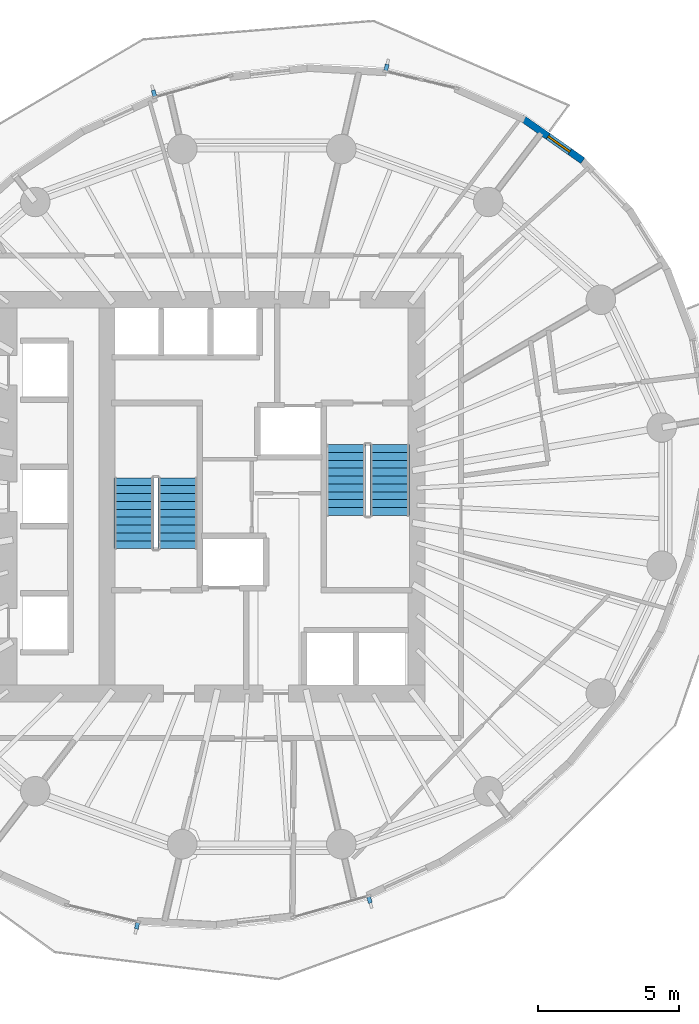
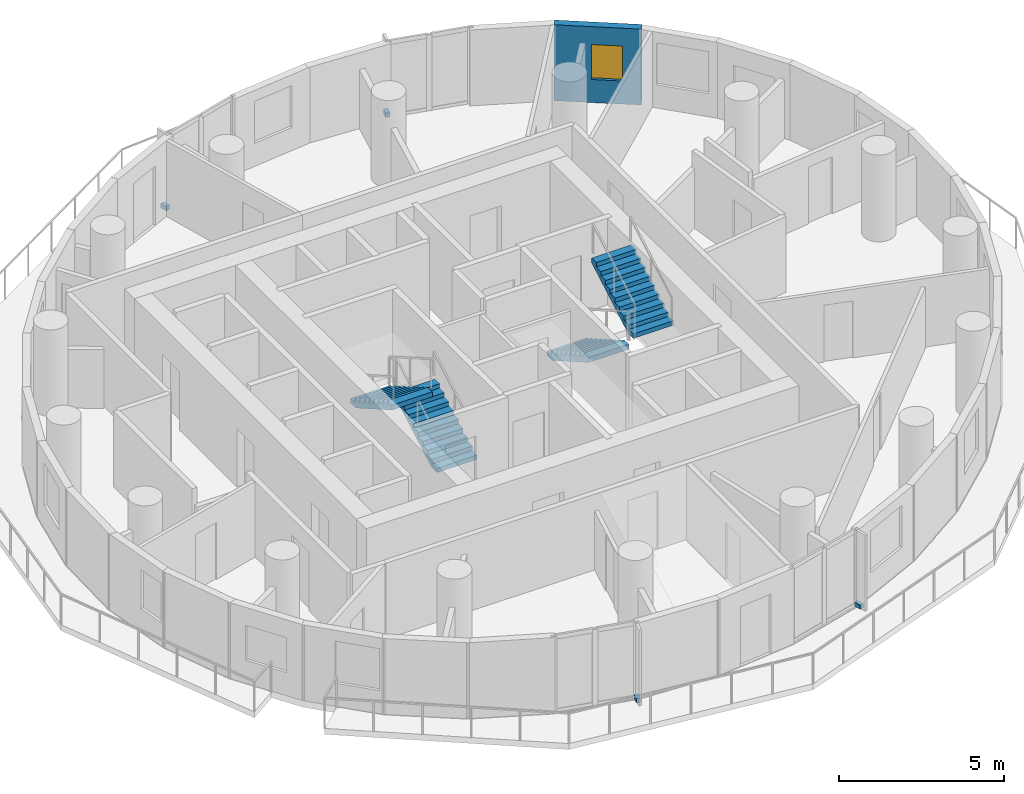
# One storey, part 8 of 13: 4 discrete accessories, 4 stair flights, 1 wall, 1 window, 1 opening, 2 elements without a shape of their own.
"""IFC4 building model written with IfcOpenShell, lengths in metres."""

from ifc_helpers import new_model, si_unit, direction, frame, frame_2d, origin, origin_2d, place, context, subcontext, project, spatial, polyline, rectangle, outline, extrude, material, layer, layer_set, type_object, element, fill, aggregate, save


model = new_model("IFC4")

# Units and contexts
model_context = context("Model", 3, precision=1e-05, world=origin(), true_north=direction((0.0, 1.0)))
body_context = subcontext(model_context, "Body", "Model", "MODEL_VIEW")
ifc_project = project(units=[si_unit("LENGTHUNIT", "METRE"), si_unit("AREAUNIT", "SQUARE_METRE"), si_unit("VOLUMEUNIT", "CUBIC_METRE"), si_unit("PLANEANGLEUNIT", "RADIAN"), si_unit("MASSUNIT", "GRAM", prefix="KILO")], contexts=[model_context])

# Site, building, storey
site_placement = place(None, origin())
site = spatial("IfcSite", under=ifc_project, at=site_placement, CompositionType="ELEMENT")
building_placement = place(site_placement, origin())
building = spatial("IfcBuilding", under=site, at=building_placement, Name="Veldorim Arch Residences", CompositionType="ELEMENT")
storey_placement = place(building_placement, frame((0.0, 0.0, 155.360107421875)))
storey = spatial("IfcBuildingStorey", under=building, at=storey_placement, Name="L46", CompositionType="ELEMENT", Elevation=155.360107421875)

# Wall, opening, window
ifc_material_1 = material(Name="Precast concrete C40/50", Category="concrete")
ifc_layer = layer(ifc_material_1, 0.25, Name="Tower Terracotta Spandrel & Pier Wall 250")
ifc_layer_set = layer_set([ifc_layer], Name="Precast concrete C40/50")
wall_type = type_object("IfcWallType", Name="Tower Terracotta Spandrel & Pier Wall 250", PredefinedType="SOLIDWALL", material=ifc_layer_set)
wall_placement = place(storey_placement, frame((41.247314453125, 37.4658203125, 0.0), z_axis=(0.0, 0.0, 1.0), x_axis=(0.818434239786, -0.574600204617, 0.0)))
wall = element("IfcWall", 1, at=wall_placement, inside=storey, type_object=wall_type, Name="L46 terracotta facade wall 02", PredefinedType="SOLIDWALL", context=body_context, shape_type="SweptSolid", body=[
    extrude(rectangle(XDim=2.6484375, YDim=0.25, at=frame_2d((1.32421875, 0.0))), origin(), (0.0, 0.0, 1.0), 2.7998046875),
])
opening_placement = place(wall_placement, frame((1.137939453125, 0.0, 0.85009765625)))
opening = element("IfcOpeningElement", 2, at=opening_placement, cuts=wall, Name="Opening WN-05", PredefinedType="OPENING", context=body_context, shape_type="SweptSolid", body=[
    extrude(rectangle(XDim=0.949951171875, YDim=1.2900390625, at=frame_2d((0.47509765625, 0.64501953125))), frame((0.0, 0.135009765625, 0.0), z_axis=(0.0, -1.0, 0.0), x_axis=(1.0, 0.0, 0.0)), (0.0, 0.0, 1.0), 0.27001953125),
])
ifc_material_2 = material(Name="Laminated Low-E Glass", Category="glass")
window_type = type_object("IfcWindowType", Name="Residential Compact Casement Window 950x1450", PartitioningType="SINGLE_PANEL", PredefinedType="WINDOW", material=ifc_material_2)
window_placement = place(opening_placement, origin())
window = element("IfcWindow", 3, at=window_placement, inside=storey, type_object=window_type, Name="L46 solar-control facade window 02", OverallHeight=1.2900390625, OverallWidth=0.949951171875, PartitioningType="SINGLE_PANEL", PredefinedType="WINDOW", context=body_context, shape_type="SweptSolid", body=[
    extrude(rectangle(XDim=0.949951171875, YDim=1.2900390625, at=frame_2d((0.47509765625, 0.64501953125))), frame((0.0, 0.030029296875, 0.0), z_axis=(0.0, -1.0, 0.0), x_axis=(1.0, 0.0, 0.0)), (0.0, 0.0, 1.0), 0.06005859375),
])
fill(opening, window)

# Stair, stair flights
ifc_material_3 = material(Name="Concrete C40/50", Category="concrete")
stair_type = type_object("IfcStairType", Name="Reinforced Concrete Dogleg Exit Staircase", PredefinedType="HALF_TURN_STAIR", material=ifc_material_3)
stair_1_placement = place(storey_placement, origin())
stair_1 = element("IfcStair", 4, at=stair_1_placement, inside=storey, type_object=stair_type, Name="L46 Exit Staircase ST-1", PredefinedType="HALF_TURN_STAIR")
ifc_material_4 = material(Name="Concrete C40/50", Category="concrete")
stair_flight_type = type_object("IfcStairFlightType", Name="Reinforced Concrete Stair Flight 1400", PredefinedType="STRAIGHT", material=ifc_material_4)
stair_flight_1_placement = place(storey_placement, frame((29.010009765625, 22.14990234375, 0.0), z_axis=(0.0, 0.0, 1.0), x_axis=(0.0, 1.0, 0.0)))
stair_flight_1 = element("IfcStairFlight", 5, at=stair_flight_1_placement, type_object=stair_flight_type, Name="ST-1 flight 1", NumberOfRisers=10, NumberOfTreads=9, PredefinedType="STRAIGHT", RiserHeight=0.16, TreadLength=0.28, context=body_context, shape_type="SweptSolid", body=[
    extrude(outline(polyline([(0.0, 0.0), (0.0, 0.159912109375), (0.280029296875, 0.159912109375), (0.280029296875, 0.320068359375), (0.56005859375, 0.320068359375), (0.56005859375, 0.47998046875), (0.840087890625, 0.47998046875), (0.840087890625, 0.639892578125), (1.1201171875, 0.639892578125), (1.1201171875, 0.800048828125), (1.39990234375, 0.800048828125), (1.39990234375, 0.9599609375), (1.679931640625, 0.9599609375), (1.679931640625, 1.1201171875), (1.9599609375, 1.1201171875), (1.9599609375, 1.280029296875), (2.239990234375, 1.280029296875), (2.239990234375, 1.43994140625), (2.52001953125, 1.43994140625), (2.52001953125, 1.60009765625), (2.52001953125, 1.255859375), (0.322265625, 0.0), (0.0, 0.0)])), frame((0.0, 0.699951171875, 0.0), z_axis=(0.0, -1.0, 0.0), x_axis=(1.0, 0.0, 0.0)), (0.0, 0.0, 1.0), 1.39990234375),
])
stair_flight_2_placement = place(storey_placement, frame((27.449951171875, 24.669921875, 1.599853515625), z_axis=(0.0, 0.0, 1.0), x_axis=(0.0, -1.0, 0.0)))
stair_flight_2 = element("IfcStairFlight", 6, at=stair_flight_2_placement, type_object=stair_flight_type, Name="ST-1 flight 2", NumberOfRisers=10, NumberOfTreads=9, PredefinedType="STRAIGHT", RiserHeight=0.16, TreadLength=0.28, context=body_context, shape_type="SweptSolid", body=[
    extrude(outline(polyline([(0.0, 0.0), (0.0, 0.159912109375), (0.280029296875, 0.159912109375), (0.280029296875, 0.320068359375), (0.56005859375, 0.320068359375), (0.56005859375, 0.47998046875), (0.840087890625, 0.47998046875), (0.840087890625, 0.639892578125), (1.1201171875, 0.639892578125), (1.1201171875, 0.800048828125), (1.39990234375, 0.800048828125), (1.39990234375, 0.9599609375), (1.679931640625, 0.9599609375), (1.679931640625, 1.1201171875), (1.9599609375, 1.1201171875), (1.9599609375, 1.280029296875), (2.239990234375, 1.280029296875), (2.239990234375, 1.43994140625), (2.52001953125, 1.43994140625), (2.52001953125, 1.60009765625), (2.52001953125, 1.255859375), (0.322265625, 0.0), (0.0, 0.0)])), frame((0.0, 0.699951171875, 0.0), z_axis=(0.0, -1.0, 0.0), x_axis=(1.0, 0.0, 0.0)), (0.0, 0.0, 1.0), 1.39990234375),
])
aggregate(stair_1, [stair_flight_1, stair_flight_2])

stair_2_placement = place(storey_placement, origin())
stair_2 = element("IfcStair", 7, at=stair_2_placement, inside=storey, type_object=stair_type, Name="L46 Exit Staircase ST-2", PredefinedType="HALF_TURN_STAIR")
stair_flight_3_placement = place(storey_placement, frame((34.989990234375, 25.85009765625, 0.0), z_axis=(0.0, 0.0, 1.0), x_axis=(0.0, -1.0, 0.0)))
stair_flight_3 = element("IfcStairFlight", 8, at=stair_flight_3_placement, type_object=stair_flight_type, Name="ST-2 flight 1", NumberOfRisers=10, NumberOfTreads=9, PredefinedType="STRAIGHT", RiserHeight=0.16, TreadLength=0.28, context=body_context, shape_type="SweptSolid", body=[
    extrude(outline(polyline([(0.0, 0.0), (0.0, 0.159912109375), (0.280029296875, 0.159912109375), (0.280029296875, 0.320068359375), (0.56005859375, 0.320068359375), (0.56005859375, 0.47998046875), (0.840087890625, 0.47998046875), (0.840087890625, 0.639892578125), (1.1201171875, 0.639892578125), (1.1201171875, 0.800048828125), (1.39990234375, 0.800048828125), (1.39990234375, 0.9599609375), (1.679931640625, 0.9599609375), (1.679931640625, 1.1201171875), (1.9599609375, 1.1201171875), (1.9599609375, 1.280029296875), (2.239990234375, 1.280029296875), (2.239990234375, 1.43994140625), (2.52001953125, 1.43994140625), (2.52001953125, 1.60009765625), (2.52001953125, 1.255859375), (0.322265625, 0.0), (0.0, 0.0)])), frame((0.0, 0.699951171875, 0.0), z_axis=(0.0, -1.0, 0.0), x_axis=(1.0, 0.0, 0.0)), (0.0, 0.0, 1.0), 1.39990234375),
])
stair_flight_4_placement = place(storey_placement, frame((36.550048828125, 23.330078125, 1.599853515625), z_axis=(0.0, 0.0, 1.0), x_axis=(0.0, 1.0, 0.0)))
stair_flight_4 = element("IfcStairFlight", 9, at=stair_flight_4_placement, type_object=stair_flight_type, Name="ST-2 flight 2", NumberOfRisers=10, NumberOfTreads=9, PredefinedType="STRAIGHT", RiserHeight=0.16, TreadLength=0.28, context=body_context, shape_type="SweptSolid", body=[
    extrude(outline(polyline([(0.0, 0.0), (0.0, 0.159912109375), (0.280029296875, 0.159912109375), (0.280029296875, 0.320068359375), (0.56005859375, 0.320068359375), (0.56005859375, 0.47998046875), (0.840087890625, 0.47998046875), (0.840087890625, 0.639892578125), (1.1201171875, 0.639892578125), (1.1201171875, 0.800048828125), (1.39990234375, 0.800048828125), (1.39990234375, 0.9599609375), (1.679931640625, 0.9599609375), (1.679931640625, 1.1201171875), (1.9599609375, 1.1201171875), (1.9599609375, 1.280029296875), (2.239990234375, 1.280029296875), (2.239990234375, 1.43994140625), (2.52001953125, 1.43994140625), (2.52001953125, 1.60009765625), (2.52001953125, 1.255859375), (0.322265625, 0.0), (0.0, 0.0)])), frame((0.0, 0.699951171875, 0.0), z_axis=(0.0, -1.0, 0.0), x_axis=(1.0, 0.0, 0.0)), (0.0, 0.0, 1.0), 1.39990234375),
])
aggregate(stair_2, [stair_flight_3, stair_flight_4])

# Discrete accessories
ifc_material_5 = material(Name="Stainless Steel", Category="steel")
discrete_accessory_type = type_object("IfcDiscreteAccessoryType", Name="Stainless Steel Facade Fin Anchor Bracket", PredefinedType="BRACKET", material=ifc_material_5)
for number, where, z_axis, x_axis, name in (
    (10, (36.43359375, 39.256103515625, -0.02001953125), (0.0, 0.0, 1.0), (0.972977745976, -0.230898908261, 0.0), "L46 stainless fin anchor bracket 04"),
    (11, (28.17041015625, 38.339599609375, -0.02001953125), (0.0, 0.0, 1.0), (0.962549928407, 0.271104473079, 0.0), "L46 stainless fin anchor bracket 07"),
    (12, (27.56640625, 8.743896484375, -0.02001953125), (0.0, 0.0, 1.0), (-0.972977745976, 0.230898908261, 0.0), "L46 stainless fin anchor bracket 22"),
    (13, (35.82958984375, 9.660400390625, -0.02001953125), (0.0, 0.0, 1.0), (-0.962549928407, -0.271104473079, 0.0), "L46 stainless fin anchor bracket 25"),
):
    element("IfcDiscreteAccessory", number, at=place(storey_placement, frame(where, z_axis=z_axis, x_axis=x_axis)), inside=storey, type_object=discrete_accessory_type, Name=name, PredefinedType="BRACKET", context=body_context, shape_type="SweptSolid", body=[
        extrude(rectangle(XDim=0.139892578125, YDim=0.239990234375, at=origin_2d()), origin(), (0.0, 0.0, 1.0), 0.159912109375),
    ])

save(model, "model.ifc")
